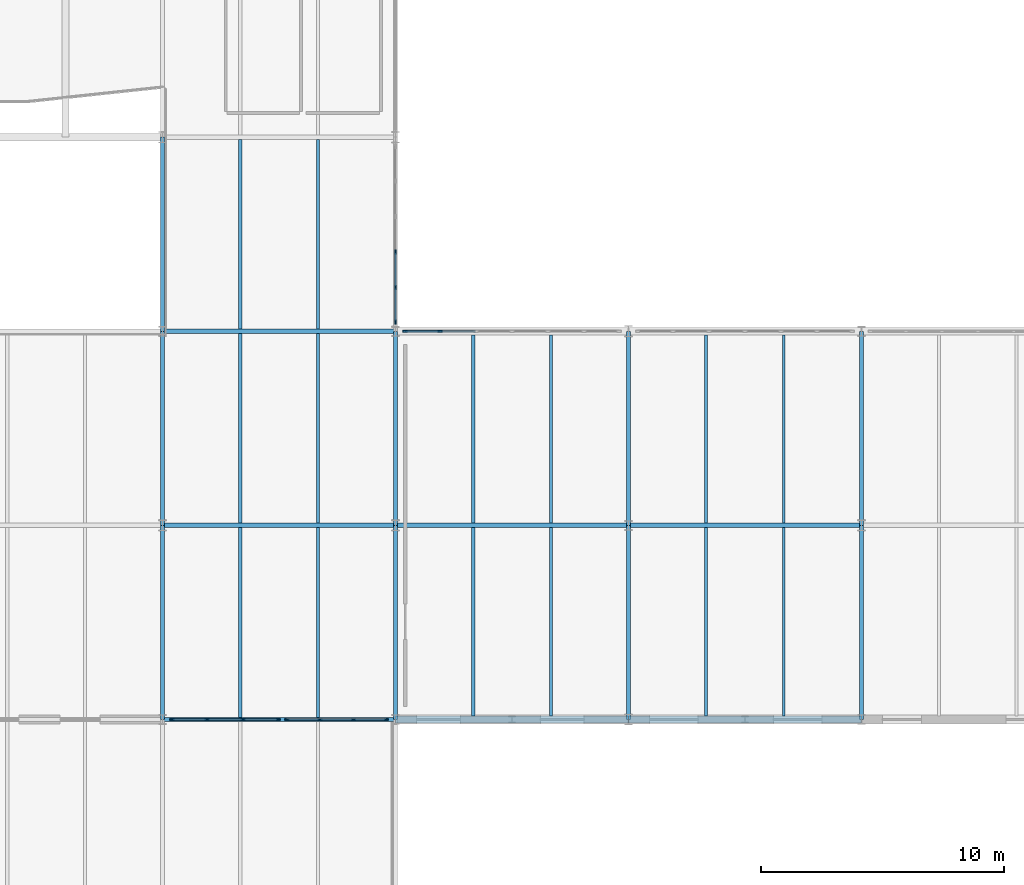
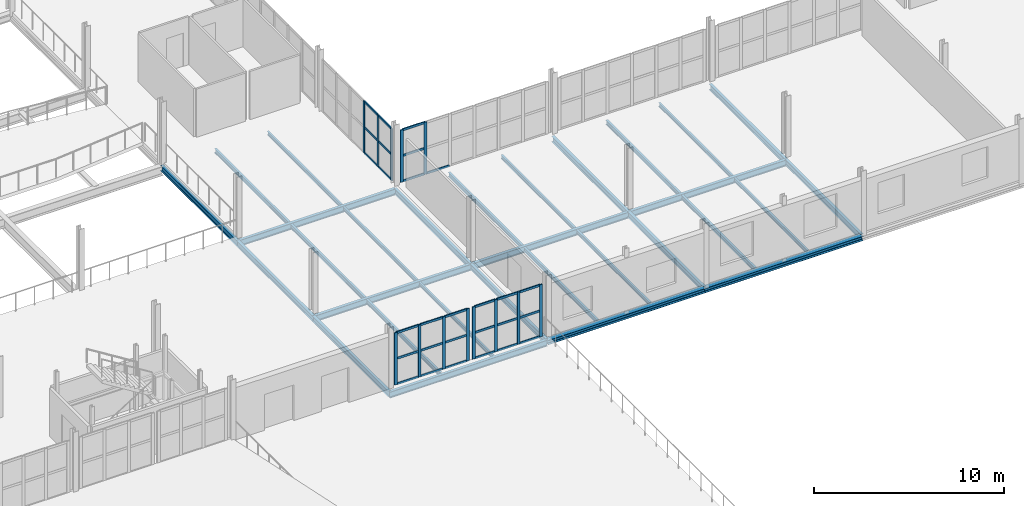
# One storey, part 43 of 85: 41 members, 30 beams, 4 elements without a shape of their own.
"""IFC4 building model written with IfcOpenShell, lengths in metres."""

from ifc_helpers import new_model, si_unit, direction, frame, origin, origin_2d, place, context, subcontext, project, spatial, rectangle, i_section, extrude, material, layer, layer_set, material_profile, profile_set, type_object, element, aggregate, save


model = new_model("IFC4")

# Units and contexts
model_context = context("Model", 3, precision=1e-05, world=origin(), true_north=direction((0.0, 1.0)))
body_context = subcontext(model_context, "Body", "Model", "MODEL_VIEW")
ifc_project = project(units=[si_unit("LENGTHUNIT", "METRE"), si_unit("AREAUNIT", "SQUARE_METRE"), si_unit("VOLUMEUNIT", "CUBIC_METRE"), si_unit("PLANEANGLEUNIT", "RADIAN"), si_unit("MASSUNIT", "GRAM", prefix="KILO")], contexts=[model_context])

# Site, building, storey
site_placement = place(None, origin())
site = spatial("IfcSite", under=ifc_project, at=site_placement, CompositionType="ELEMENT")
building_placement = place(site_placement, origin())
building = spatial("IfcBuilding", under=site, at=building_placement, Name="Alderhovde Museum", CompositionType="ELEMENT")
storey_placement = place(building_placement, frame((0.0, 0.0, 8.699951171875)))
storey = spatial("IfcBuildingStorey", under=building, at=storey_placement, Name="L02", CompositionType="ELEMENT", Elevation=8.699951171875)

# Beams
ifc_material_1 = material(Name="Steel S355J2", Category="steel")
ifc_material_profile_1 = material_profile(ifc_material_1, i_section(OverallWidth=0.169921875, OverallDepth=0.360107421875, WebThickness=0.008056640625, FlangeThickness=0.0126953125, FilletRadius=0.01806640625, at=origin_2d()), Name="IPE 360")
ifc_profile_set_1 = profile_set([ifc_material_profile_1], Name="Steel S355J2")
beam_type_1 = type_object("IfcBeamType", Name="BM-IPE360", PredefinedType="BEAM", material=ifc_profile_set_1)
for number, where, z_axis, x_axis, name in (
    (1, (105.60009765625, 32.0, -0.43994140625), (0.0, 1.0, 0.0), (-1.0, 0.0, 0.0), "L02 Grid Beam X=105.6 (32.0 TO 40.0)"),
    (2, (105.60009765625, 40.0, -0.43994140625), (0.0, 1.0, 0.0), (-1.0, 0.0, 0.0), "L02 Grid Beam X=105.6 (40.0 TO 48.0)"),
    (3, (105.60009765625, 48.0, -0.43994140625), (0.0, 1.0, 0.0), (-1.0, 0.0, 0.0), "L02 Grid Beam X=105.6 (48.0 TO 56.0)"),
    (4, (115.199951171875, 32.0, -0.43994140625), (0.0, 1.0, 0.0), (-1.0, 0.0, 0.0), "L02 Grid Beam X=115.2 (32.0 TO 40.0)"),
    (5, (115.199951171875, 40.0, -0.43994140625), (0.0, 1.0, 0.0), (-1.0, 0.0, 0.0), "L02 Grid Beam X=115.2 (40.0 TO 48.0)"),
    (6, (124.800048828125, 32.0, -0.43994140625), (0.0, 1.0, 0.0), (-1.0, 0.0, 0.0), "L02 Grid Beam X=124.8 (32.0 TO 40.0)"),
    (7, (124.800048828125, 40.0, -0.43994140625), (0.0, 1.0, 0.0), (-1.0, 0.0, 0.0), "L02 Grid Beam X=124.8 (40.0 TO 48.0)"),
    (8, (134.39990234375, 32.0, -0.43994140625), (0.0, 1.0, 0.0), (-1.0, 0.0, 0.0), "L02 Grid Beam X=134.4 (32.0 TO 40.0)"),
    (9, (134.39990234375, 40.0, -0.43994140625), (0.0, 1.0, 0.0), (-1.0, 0.0, 0.0), "L02 Grid Beam X=134.4 (40.0 TO 48.0)"),
):
    element("IfcBeam", number, at=place(storey_placement, frame(where, z_axis=z_axis, x_axis=x_axis)), inside=storey, type_object=beam_type_1, Name=name, PredefinedType="BEAM", context=body_context, shape_type="SweptSolid", body=[
        extrude(i_section(OverallWidth=0.169921875, OverallDepth=0.360107421875, WebThickness=0.008056640625, FlangeThickness=0.0126953125, FilletRadius=0.01806640625, at=origin_2d()), origin(), (0.0, 0.0, 1.0), 8.0),
    ])
ifc_material_2 = material(Name="Steel S355J2", Category="steel")
ifc_material_profile_2 = material_profile(ifc_material_2, i_section(OverallWidth=0.179931640625, OverallDepth=0.39990234375, WebThickness=0.008544921875, FlangeThickness=0.013427734375, FilletRadius=0.02099609375, at=origin_2d()), Name="IPE 400")
ifc_profile_set_2 = profile_set([ifc_material_profile_2], Name="Steel S355J2")
beam_type_2 = type_object("IfcBeamType", Name="BM-IPE400", PredefinedType="BEAM", material=ifc_profile_set_2)
for number, where, z_axis, x_axis, name in (
    (10, (105.60009765625, 32.0, -0.5), (1.0, 0.0, 0.0), (0.0, 1.0, 0.0), "L02 Grid Beam Y=32.0 (105.6 TO 115.2)"),
    (11, (105.60009765625, 40.0, -0.4599609375), (1.0, 0.0, 0.0), (0.0, 1.0, 0.0), "L02 Grid Beam Y=40.0 (105.6 TO 115.2)"),
):
    element("IfcBeam", number, at=place(storey_placement, frame(where, z_axis=z_axis, x_axis=x_axis)), inside=storey, type_object=beam_type_2, Name=name, PredefinedType="BEAM", context=body_context, shape_type="SweptSolid", body=[
        extrude(i_section(OverallWidth=0.179931640625, OverallDepth=0.39990234375, WebThickness=0.008544921875, FlangeThickness=0.013427734375, FilletRadius=0.02099609375, at=origin_2d()), origin(), (0.0, 0.0, 1.0), 9.599853515625),
    ])
beam_1_placement = place(storey_placement, frame((115.199951171875, 40.0, -0.4599609375), z_axis=(1.0, 0.0, 0.0), x_axis=(0.0, 1.0, 0.0)))
element("IfcBeam", 12, at=beam_1_placement, inside=storey, type_object=beam_type_2, Name="L02 Grid Beam Y=40.0 (115.2 TO 124.8)", PredefinedType="BEAM", context=body_context, shape_type="SweptSolid", body=[
    extrude(i_section(OverallWidth=0.179931640625, OverallDepth=0.39990234375, WebThickness=0.008544921875, FlangeThickness=0.013427734375, FilletRadius=0.02099609375, at=origin_2d()), origin(), (0.0, 0.0, 1.0), 9.60009765625),
])
for number, where, z_axis, x_axis, name in (
    (13, (124.800048828125, 40.0, -0.4599609375), (1.0, 0.0, 0.0), (0.0, 1.0, 0.0), "L02 Grid Beam Y=40.0 (124.8 TO 134.4)"),
    (14, (105.60009765625, 48.0, -0.4599609375), (1.0, 0.0, 0.0), (0.0, 1.0, 0.0), "L02 Grid Beam Y=48.0 (105.6 TO 115.2)"),
):
    element("IfcBeam", number, at=place(storey_placement, frame(where, z_axis=z_axis, x_axis=x_axis)), inside=storey, type_object=beam_type_2, Name=name, PredefinedType="BEAM", context=body_context, shape_type="SweptSolid", body=[
        extrude(i_section(OverallWidth=0.179931640625, OverallDepth=0.39990234375, WebThickness=0.008544921875, FlangeThickness=0.013427734375, FilletRadius=0.02099609375, at=origin_2d()), origin(), (0.0, 0.0, 1.0), 9.599853515625),
    ])

# Curtain wall, members
ifc_material_3 = material(Name="Triple-Glazed Bronze-Anodised Curtain Wall", Category="glass")
ifc_layer_1 = layer(ifc_material_3, 0.179931640625)
ifc_layer_set_1 = layer_set([ifc_layer_1], Name="Triple-Glazed Bronze-Anodised Curtain Wall")
curtain_wall_type_1 = type_object("IfcCurtainWallType", Name="CW-UNIT-445x336", PredefinedType="USERDEFINED", material=ifc_layer_set_1)
curtain_wall_1_placement = place(storey_placement, origin())
curtain_wall_1 = element("IfcCurtainWall", 15, at=curtain_wall_1_placement, inside=storey, type_object=curtain_wall_type_1, Name="L02 Unitised Curtain Wall 39", ObjectType="UNITISED CURTAIN WALL", PredefinedType="USERDEFINED")
ifc_material_4 = material(Name="Bronze-Anodised Aluminium EN AW-6063-T6", Category="aluminium")
ifc_material_profile_3 = material_profile(ifc_material_4, rectangle(XDim=0.06494140625, YDim=0.179931640625, at=origin_2d()), Name="MULLION 65x180")
ifc_profile_set_3 = profile_set([ifc_material_profile_3], Name="Bronze-Anodised Aluminium EN AW-6063-T6")
member_type_1 = type_object("IfcMemberType", Name="CWM-65x180", PredefinedType="MULLION", material=ifc_profile_set_3)
member_1_placement = place(storey_placement, frame((105.982421875, 32.0, 0.0), z_axis=(0.0, 0.0, 1.0), x_axis=(0.0, 1.0, 0.0)))
member_1 = element("IfcMember", 16, at=member_1_placement, type_object=member_type_1, Name="CW10 mullion 1", PredefinedType="MULLION", context=body_context, shape_type="SweptSolid", body=[
    extrude(rectangle(XDim=0.06494140625, YDim=0.179931640625, at=origin_2d()), origin(), (0.0, 0.0, 1.0), 3.360107421875),
])
member_2_placement = place(storey_placement, frame((107.433349609375, 32.0, 0.0), z_axis=(0.0, 0.0, 1.0), x_axis=(0.0, 1.0, 0.0)))
member_2 = element("IfcMember", 17, at=member_2_placement, type_object=member_type_1, Name="CW10 mullion 2", PredefinedType="MULLION", context=body_context, shape_type="SweptSolid", body=[
    extrude(rectangle(XDim=0.06494140625, YDim=0.179931640625, at=origin_2d()), origin(), (0.0, 0.0, 1.0), 3.360107421875),
])
member_3_placement = place(storey_placement, frame((108.916748046875, 32.0, 0.0), z_axis=(0.0, 0.0, 1.0), x_axis=(0.0, 1.0, 0.0)))
member_3 = element("IfcMember", 18, at=member_3_placement, type_object=member_type_1, Name="CW10 mullion 3", PredefinedType="MULLION", context=body_context, shape_type="SweptSolid", body=[
    extrude(rectangle(XDim=0.06494140625, YDim=0.179931640625, at=origin_2d()), origin(), (0.0, 0.0, 1.0), 3.360107421875),
])
member_4_placement = place(storey_placement, frame((110.367431640625, 32.0, 0.0), z_axis=(0.0, 0.0, 1.0), x_axis=(0.0, 1.0, 0.0)))
member_4 = element("IfcMember", 19, at=member_4_placement, type_object=member_type_1, Name="CW10 mullion 4", PredefinedType="MULLION", context=body_context, shape_type="SweptSolid", body=[
    extrude(rectangle(XDim=0.06494140625, YDim=0.179931640625, at=origin_2d()), origin(), (0.0, 0.0, 1.0), 3.360107421875),
])

ifc_material_5 = material(Name="Triple-Glazed Bronze-Anodised Curtain Wall", Category="glass")
ifc_layer_2 = layer(ifc_material_5, 0.179931640625)
ifc_layer_set_2 = layer_set([ifc_layer_2], Name="Triple-Glazed Bronze-Anodised Curtain Wall")
curtain_wall_type_2 = type_object("IfcCurtainWallType", Name="CW-UNIT-415x336", PredefinedType="USERDEFINED", material=ifc_layer_set_2)
curtain_wall_2_placement = place(storey_placement, origin())
curtain_wall_2 = element("IfcCurtainWall", 20, at=curtain_wall_2_placement, inside=storey, type_object=curtain_wall_type_2, Name="L02 Unitised Curtain Wall 40", ObjectType="UNITISED CURTAIN WALL", PredefinedType="USERDEFINED")
member_5_placement = place(storey_placement, frame((110.732421875, 32.0, 0.0), z_axis=(0.0, 0.0, 1.0), x_axis=(0.0, 1.0, 0.0)))
member_5 = element("IfcMember", 21, at=member_5_placement, type_object=member_type_1, Name="CW11 mullion 1", PredefinedType="MULLION", context=body_context, shape_type="SweptSolid", body=[
    extrude(rectangle(XDim=0.06494140625, YDim=0.179931640625, at=origin_2d()), origin(), (0.0, 0.0, 1.0), 3.360107421875),
])
member_6_placement = place(storey_placement, frame((112.083251953125, 32.0, 0.0), z_axis=(0.0, 0.0, 1.0), x_axis=(0.0, 1.0, 0.0)))
member_6 = element("IfcMember", 22, at=member_6_placement, type_object=member_type_1, Name="CW11 mullion 2", PredefinedType="MULLION", context=body_context, shape_type="SweptSolid", body=[
    extrude(rectangle(XDim=0.06494140625, YDim=0.179931640625, at=origin_2d()), origin(), (0.0, 0.0, 1.0), 3.360107421875),
])
member_7_placement = place(storey_placement, frame((113.466552734375, 32.0, 0.0), z_axis=(0.0, 0.0, 1.0), x_axis=(0.0, 1.0, 0.0)))
member_7 = element("IfcMember", 23, at=member_7_placement, type_object=member_type_1, Name="CW11 mullion 3", PredefinedType="MULLION", context=body_context, shape_type="SweptSolid", body=[
    extrude(rectangle(XDim=0.06494140625, YDim=0.179931640625, at=origin_2d()), origin(), (0.0, 0.0, 1.0), 3.360107421875),
])
member_8_placement = place(storey_placement, frame((114.8173828125, 32.0, 0.0), z_axis=(0.0, 0.0, 1.0), x_axis=(0.0, 1.0, 0.0)))
member_8 = element("IfcMember", 24, at=member_8_placement, type_object=member_type_1, Name="CW11 mullion 4", PredefinedType="MULLION", context=body_context, shape_type="SweptSolid", body=[
    extrude(rectangle(XDim=0.06494140625, YDim=0.179931640625, at=origin_2d()), origin(), (0.0, 0.0, 1.0), 3.360107421875),
])

ifc_material_6 = material(Name="Triple-Glazed Bronze-Anodised Curtain Wall", Category="glass")
ifc_layer_3 = layer(ifc_material_6, 0.179931640625)
ifc_layer_set_3 = layer_set([ifc_layer_3], Name="Triple-Glazed Bronze-Anodised Curtain Wall")
curtain_wall_type_3 = type_object("IfcCurtainWallType", Name="CW-UNIT-730x336", PredefinedType="USERDEFINED", material=ifc_layer_set_3)
curtain_wall_3_placement = place(storey_placement, origin())
curtain_wall_3 = element("IfcCurtainWall", 25, at=curtain_wall_3_placement, inside=storey, type_object=curtain_wall_type_3, Name="L02 Unitised Curtain Wall 45", ObjectType="UNITISED CURTAIN WALL", PredefinedType="USERDEFINED")
member_9_placement = place(storey_placement, frame((115.199951171875, 48.382568359375, 0.0), z_axis=(0.0, 0.0, 1.0), x_axis=(-1.0, 0.0, 0.0)))
member_9 = element("IfcMember", 26, at=member_9_placement, type_object=member_type_1, Name="CW14 mullion 1", PredefinedType="MULLION", context=body_context, shape_type="SweptSolid", body=[
    extrude(rectangle(XDim=0.06494140625, YDim=0.179931640625, at=origin_2d()), origin(), (0.0, 0.0, 1.0), 3.360107421875),
])
member_10_placement = place(storey_placement, frame((115.199951171875, 49.81005859375, 0.0), z_axis=(0.0, 0.0, 1.0), x_axis=(-1.0, 0.0, 0.0)))
member_10 = element("IfcMember", 27, at=member_10_placement, type_object=member_type_1, Name="CW14 mullion 2", PredefinedType="MULLION", context=body_context, shape_type="SweptSolid", body=[
    extrude(rectangle(XDim=0.06494140625, YDim=0.179931640625, at=origin_2d()), origin(), (0.0, 0.0, 1.0), 3.360107421875),
])
member_11_placement = place(storey_placement, frame((115.199951171875, 51.27001953125, 0.0), z_axis=(0.0, 0.0, 1.0), x_axis=(-1.0, 0.0, 0.0)))
member_11 = element("IfcMember", 28, at=member_11_placement, type_object=member_type_1, Name="CW14 mullion 3", PredefinedType="MULLION", context=body_context, shape_type="SweptSolid", body=[
    extrude(rectangle(XDim=0.06494140625, YDim=0.179931640625, at=origin_2d()), origin(), (0.0, 0.0, 1.0), 3.360107421875),
])

ifc_material_7 = material(Name="Triple-Glazed Bronze-Anodised Curtain Wall", Category="glass")
ifc_layer_4 = layer(ifc_material_7, 0.179931640625)
ifc_layer_set_4 = layer_set([ifc_layer_4], Name="Triple-Glazed Bronze-Anodised Curtain Wall")
curtain_wall_type_4 = type_object("IfcCurtainWallType", Name="CW-STIC-890x336", PredefinedType="USERDEFINED", material=ifc_layer_set_4)
curtain_wall_4_placement = place(storey_placement, origin())
curtain_wall_4 = element("IfcCurtainWall", 29, at=curtain_wall_4_placement, inside=storey, type_object=curtain_wall_type_4, Name="L02 Stick Curtain Wall 157", ObjectType="STICK CURTAIN WALL", PredefinedType="USERDEFINED")
member_12_placement = place(storey_placement, frame((115.58251953125, 48.0, 0.0), z_axis=(0.0, 0.0, 1.0), x_axis=(0.0, 1.0, 0.0)))
member_12 = element("IfcMember", 30, at=member_12_placement, type_object=member_type_1, Name="CW38 mullion 1", PredefinedType="MULLION", context=body_context, shape_type="SweptSolid", body=[
    extrude(rectangle(XDim=0.06494140625, YDim=0.179931640625, at=origin_2d()), origin(), (0.0, 0.0, 1.0), 3.360107421875),
])
member_13_placement = place(storey_placement, frame((117.033447265625, 48.0, 0.0), z_axis=(0.0, 0.0, 1.0), x_axis=(0.0, 1.0, 0.0)))
member_13 = element("IfcMember", 31, at=member_13_placement, type_object=member_type_1, Name="CW38 mullion 2", PredefinedType="MULLION", context=body_context, shape_type="SweptSolid", body=[
    extrude(rectangle(XDim=0.06494140625, YDim=0.179931640625, at=origin_2d()), origin(), (0.0, 0.0, 1.0), 3.360107421875),
])

# Member
ifc_material_8 = material(Name="Bronze-Anodised Aluminium EN AW-6063-T6", Category="aluminium")
ifc_material_profile_4 = material_profile(ifc_material_8, rectangle(XDim=0.06494140625, YDim=0.139892578125, at=origin_2d()), Name="TRANSOM 65x140")
ifc_profile_set_4 = profile_set([ifc_material_profile_4], Name="Bronze-Anodised Aluminium EN AW-6063-T6")
member_type_2 = type_object("IfcMemberType", Name="CWT-65x140", PredefinedType="USERDEFINED", material=ifc_profile_set_4)
member_14_placement = place(storey_placement, frame((106.014892578125, 32.0, 0.032470703125), z_axis=(1.0, 0.0, 0.0), x_axis=(0.0, 1.0, 0.0)))
member_14 = element("IfcMember", 32, at=member_14_placement, type_object=member_type_2, Name="CW10 transom 1.1", ObjectType="TRANSOM", PredefinedType="USERDEFINED", context=body_context, shape_type="SweptSolid", body=[
    extrude(rectangle(XDim=0.06494140625, YDim=0.139892578125, at=origin_2d()), origin(), (0.0, 0.0, 1.0), 1.385986328125),
])

member_15_placement = place(storey_placement, frame((106.014892578125, 32.0, 1.679931640625), z_axis=(1.0, 0.0, 0.0), x_axis=(0.0, 1.0, 0.0)))
member_15 = element("IfcMember", 33, at=member_15_placement, type_object=member_type_2, Name="CW10 transom 1.2", ObjectType="TRANSOM", PredefinedType="USERDEFINED", context=body_context, shape_type="SweptSolid", body=[
    extrude(rectangle(XDim=0.06494140625, YDim=0.139892578125, at=origin_2d()), origin(), (0.0, 0.0, 1.0), 1.385986328125),
])

member_16_placement = place(storey_placement, frame((106.014892578125, 32.0, 3.32763671875), z_axis=(1.0, 0.0, 0.0), x_axis=(0.0, 1.0, 0.0)))
member_16 = element("IfcMember", 34, at=member_16_placement, type_object=member_type_2, Name="CW10 transom 1.3", ObjectType="TRANSOM", PredefinedType="USERDEFINED", context=body_context, shape_type="SweptSolid", body=[
    extrude(rectangle(XDim=0.06494140625, YDim=0.139892578125, at=origin_2d()), origin(), (0.0, 0.0, 1.0), 1.385986328125),
])

member_17_placement = place(storey_placement, frame((107.4658203125, 32.0, 0.032470703125), z_axis=(1.0, 0.0, 0.0), x_axis=(0.0, 1.0, 0.0)))
member_17 = element("IfcMember", 35, at=member_17_placement, type_object=member_type_2, Name="CW10 transom 2.1", ObjectType="TRANSOM", PredefinedType="USERDEFINED", context=body_context, shape_type="SweptSolid", body=[
    extrude(rectangle(XDim=0.06494140625, YDim=0.139892578125, at=origin_2d()), origin(), (0.0, 0.0, 1.0), 1.41845703125),
])

member_18_placement = place(storey_placement, frame((107.4658203125, 32.0, 1.679931640625), z_axis=(1.0, 0.0, 0.0), x_axis=(0.0, 1.0, 0.0)))
member_18 = element("IfcMember", 36, at=member_18_placement, type_object=member_type_2, Name="CW10 transom 2.2", ObjectType="TRANSOM", PredefinedType="USERDEFINED", context=body_context, shape_type="SweptSolid", body=[
    extrude(rectangle(XDim=0.06494140625, YDim=0.139892578125, at=origin_2d()), origin(), (0.0, 0.0, 1.0), 1.41845703125),
])

member_19_placement = place(storey_placement, frame((107.4658203125, 32.0, 3.32763671875), z_axis=(1.0, 0.0, 0.0), x_axis=(0.0, 1.0, 0.0)))
member_19 = element("IfcMember", 37, at=member_19_placement, type_object=member_type_2, Name="CW10 transom 2.3", ObjectType="TRANSOM", PredefinedType="USERDEFINED", context=body_context, shape_type="SweptSolid", body=[
    extrude(rectangle(XDim=0.06494140625, YDim=0.139892578125, at=origin_2d()), origin(), (0.0, 0.0, 1.0), 1.41845703125),
])

member_20_placement = place(storey_placement, frame((108.94921875, 32.0, 0.032470703125), z_axis=(1.0, 0.0, 0.0), x_axis=(0.0, 1.0, 0.0)))
member_20 = element("IfcMember", 38, at=member_20_placement, type_object=member_type_2, Name="CW10 transom 3.1", ObjectType="TRANSOM", PredefinedType="USERDEFINED", context=body_context, shape_type="SweptSolid", body=[
    extrude(rectangle(XDim=0.06494140625, YDim=0.139892578125, at=origin_2d()), origin(), (0.0, 0.0, 1.0), 1.3857421875),
])

member_21_placement = place(storey_placement, frame((108.94921875, 32.0, 1.679931640625), z_axis=(1.0, 0.0, 0.0), x_axis=(0.0, 1.0, 0.0)))
member_21 = element("IfcMember", 39, at=member_21_placement, type_object=member_type_2, Name="CW10 transom 3.2", ObjectType="TRANSOM", PredefinedType="USERDEFINED", context=body_context, shape_type="SweptSolid", body=[
    extrude(rectangle(XDim=0.06494140625, YDim=0.139892578125, at=origin_2d()), origin(), (0.0, 0.0, 1.0), 1.3857421875),
])

member_22_placement = place(storey_placement, frame((108.94921875, 32.0, 3.32763671875), z_axis=(1.0, 0.0, 0.0), x_axis=(0.0, 1.0, 0.0)))
member_22 = element("IfcMember", 40, at=member_22_placement, type_object=member_type_2, Name="CW10 transom 3.3", ObjectType="TRANSOM", PredefinedType="USERDEFINED", context=body_context, shape_type="SweptSolid", body=[
    extrude(rectangle(XDim=0.06494140625, YDim=0.139892578125, at=origin_2d()), origin(), (0.0, 0.0, 1.0), 1.3857421875),
])

aggregate(curtain_wall_1, [member_1, member_2, member_3, member_4, member_14, member_15, member_16, member_17, member_18, member_19, member_20, member_21, member_22])

member_23_placement = place(storey_placement, frame((110.764892578125, 32.0, 0.032470703125), z_axis=(1.0, 0.0, 0.0), x_axis=(0.0, 1.0, 0.0)))
member_23 = element("IfcMember", 41, at=member_23_placement, type_object=member_type_2, Name="CW11 transom 1.1", ObjectType="TRANSOM", PredefinedType="USERDEFINED", context=body_context, shape_type="SweptSolid", body=[
    extrude(rectangle(XDim=0.06494140625, YDim=0.139892578125, at=origin_2d()), origin(), (0.0, 0.0, 1.0), 1.285888671875),
])

member_24_placement = place(storey_placement, frame((110.764892578125, 32.0, 1.679931640625), z_axis=(1.0, 0.0, 0.0), x_axis=(0.0, 1.0, 0.0)))
member_24 = element("IfcMember", 42, at=member_24_placement, type_object=member_type_2, Name="CW11 transom 1.2", ObjectType="TRANSOM", PredefinedType="USERDEFINED", context=body_context, shape_type="SweptSolid", body=[
    extrude(rectangle(XDim=0.06494140625, YDim=0.139892578125, at=origin_2d()), origin(), (0.0, 0.0, 1.0), 1.285888671875),
])

member_25_placement = place(storey_placement, frame((110.764892578125, 32.0, 3.32763671875), z_axis=(1.0, 0.0, 0.0), x_axis=(0.0, 1.0, 0.0)))
member_25 = element("IfcMember", 43, at=member_25_placement, type_object=member_type_2, Name="CW11 transom 1.3", ObjectType="TRANSOM", PredefinedType="USERDEFINED", context=body_context, shape_type="SweptSolid", body=[
    extrude(rectangle(XDim=0.06494140625, YDim=0.139892578125, at=origin_2d()), origin(), (0.0, 0.0, 1.0), 1.285888671875),
])

member_26_placement = place(storey_placement, frame((112.11572265625, 32.0, 0.032470703125), z_axis=(1.0, 0.0, 0.0), x_axis=(0.0, 1.0, 0.0)))
member_26 = element("IfcMember", 44, at=member_26_placement, type_object=member_type_2, Name="CW11 transom 2.1", ObjectType="TRANSOM", PredefinedType="USERDEFINED", context=body_context, shape_type="SweptSolid", body=[
    extrude(rectangle(XDim=0.06494140625, YDim=0.139892578125, at=origin_2d()), origin(), (0.0, 0.0, 1.0), 1.318359375),
])

member_27_placement = place(storey_placement, frame((112.11572265625, 32.0, 1.679931640625), z_axis=(1.0, 0.0, 0.0), x_axis=(0.0, 1.0, 0.0)))
member_27 = element("IfcMember", 45, at=member_27_placement, type_object=member_type_2, Name="CW11 transom 2.2", ObjectType="TRANSOM", PredefinedType="USERDEFINED", context=body_context, shape_type="SweptSolid", body=[
    extrude(rectangle(XDim=0.06494140625, YDim=0.139892578125, at=origin_2d()), origin(), (0.0, 0.0, 1.0), 1.318359375),
])

member_28_placement = place(storey_placement, frame((112.11572265625, 32.0, 3.32763671875), z_axis=(1.0, 0.0, 0.0), x_axis=(0.0, 1.0, 0.0)))
member_28 = element("IfcMember", 46, at=member_28_placement, type_object=member_type_2, Name="CW11 transom 2.3", ObjectType="TRANSOM", PredefinedType="USERDEFINED", context=body_context, shape_type="SweptSolid", body=[
    extrude(rectangle(XDim=0.06494140625, YDim=0.139892578125, at=origin_2d()), origin(), (0.0, 0.0, 1.0), 1.318359375),
])

member_29_placement = place(storey_placement, frame((113.499267578125, 32.0, 0.032470703125), z_axis=(1.0, 0.0, 0.0), x_axis=(0.0, 1.0, 0.0)))
member_29 = element("IfcMember", 47, at=member_29_placement, type_object=member_type_2, Name="CW11 transom 3.1", ObjectType="TRANSOM", PredefinedType="USERDEFINED", context=body_context, shape_type="SweptSolid", body=[
    extrude(rectangle(XDim=0.06494140625, YDim=0.139892578125, at=origin_2d()), origin(), (0.0, 0.0, 1.0), 1.28564453125),
])

member_30_placement = place(storey_placement, frame((113.499267578125, 32.0, 1.679931640625), z_axis=(1.0, 0.0, 0.0), x_axis=(0.0, 1.0, 0.0)))
member_30 = element("IfcMember", 48, at=member_30_placement, type_object=member_type_2, Name="CW11 transom 3.2", ObjectType="TRANSOM", PredefinedType="USERDEFINED", context=body_context, shape_type="SweptSolid", body=[
    extrude(rectangle(XDim=0.06494140625, YDim=0.139892578125, at=origin_2d()), origin(), (0.0, 0.0, 1.0), 1.28564453125),
])

member_31_placement = place(storey_placement, frame((113.499267578125, 32.0, 3.32763671875), z_axis=(1.0, 0.0, 0.0), x_axis=(0.0, 1.0, 0.0)))
member_31 = element("IfcMember", 49, at=member_31_placement, type_object=member_type_2, Name="CW11 transom 3.3", ObjectType="TRANSOM", PredefinedType="USERDEFINED", context=body_context, shape_type="SweptSolid", body=[
    extrude(rectangle(XDim=0.06494140625, YDim=0.139892578125, at=origin_2d()), origin(), (0.0, 0.0, 1.0), 1.28564453125),
])

aggregate(curtain_wall_2, [member_5, member_6, member_7, member_8, member_23, member_24, member_25, member_26, member_27, member_28, member_29, member_30, member_31])

member_32_placement = place(storey_placement, frame((115.199951171875, 48.4150390625, 0.032470703125), z_axis=(0.0, 1.0, 0.0), x_axis=(-1.0, 0.0, 0.0)))
member_32 = element("IfcMember", 50, at=member_32_placement, type_object=member_type_2, Name="CW14 transom 1.1", ObjectType="TRANSOM", PredefinedType="USERDEFINED", context=body_context, shape_type="SweptSolid", body=[
    extrude(rectangle(XDim=0.06494140625, YDim=0.139892578125, at=origin_2d()), origin(), (0.0, 0.0, 1.0), 1.362548828125),
])

member_33_placement = place(storey_placement, frame((115.199951171875, 48.4150390625, 1.679931640625), z_axis=(0.0, 1.0, 0.0), x_axis=(-1.0, 0.0, 0.0)))
member_33 = element("IfcMember", 51, at=member_33_placement, type_object=member_type_2, Name="CW14 transom 1.2", ObjectType="TRANSOM", PredefinedType="USERDEFINED", context=body_context, shape_type="SweptSolid", body=[
    extrude(rectangle(XDim=0.06494140625, YDim=0.139892578125, at=origin_2d()), origin(), (0.0, 0.0, 1.0), 1.362548828125),
])

member_34_placement = place(storey_placement, frame((115.199951171875, 48.4150390625, 3.32763671875), z_axis=(0.0, 1.0, 0.0), x_axis=(-1.0, 0.0, 0.0)))
member_34 = element("IfcMember", 52, at=member_34_placement, type_object=member_type_2, Name="CW14 transom 1.3", ObjectType="TRANSOM", PredefinedType="USERDEFINED", context=body_context, shape_type="SweptSolid", body=[
    extrude(rectangle(XDim=0.06494140625, YDim=0.139892578125, at=origin_2d()), origin(), (0.0, 0.0, 1.0), 1.362548828125),
])

member_35_placement = place(storey_placement, frame((115.199951171875, 49.842529296875, 0.032470703125), z_axis=(0.0, 1.0, 0.0), x_axis=(-1.0, 0.0, 0.0)))
member_35 = element("IfcMember", 53, at=member_35_placement, type_object=member_type_2, Name="CW14 transom 2.1", ObjectType="TRANSOM", PredefinedType="USERDEFINED", context=body_context, shape_type="SweptSolid", body=[
    extrude(rectangle(XDim=0.06494140625, YDim=0.139892578125, at=origin_2d()), origin(), (0.0, 0.0, 1.0), 1.39501953125),
])

member_36_placement = place(storey_placement, frame((115.199951171875, 49.842529296875, 1.679931640625), z_axis=(0.0, 1.0, 0.0), x_axis=(-1.0, 0.0, 0.0)))
member_36 = element("IfcMember", 54, at=member_36_placement, type_object=member_type_2, Name="CW14 transom 2.2", ObjectType="TRANSOM", PredefinedType="USERDEFINED", context=body_context, shape_type="SweptSolid", body=[
    extrude(rectangle(XDim=0.06494140625, YDim=0.139892578125, at=origin_2d()), origin(), (0.0, 0.0, 1.0), 1.39501953125),
])

member_37_placement = place(storey_placement, frame((115.199951171875, 49.842529296875, 3.32763671875), z_axis=(0.0, 1.0, 0.0), x_axis=(-1.0, 0.0, 0.0)))
member_37 = element("IfcMember", 55, at=member_37_placement, type_object=member_type_2, Name="CW14 transom 2.3", ObjectType="TRANSOM", PredefinedType="USERDEFINED", context=body_context, shape_type="SweptSolid", body=[
    extrude(rectangle(XDim=0.06494140625, YDim=0.139892578125, at=origin_2d()), origin(), (0.0, 0.0, 1.0), 1.39501953125),
])

aggregate(curtain_wall_3, [member_9, member_10, member_11, member_32, member_33, member_34, member_35, member_36, member_37])

member_38_placement = place(storey_placement, frame((115.614990234375, 48.0, 0.032470703125), z_axis=(1.0, 0.0, 0.0), x_axis=(0.0, 1.0, 0.0)))
member_38 = element("IfcMember", 56, at=member_38_placement, type_object=member_type_2, Name="CW38 transom 1.1", ObjectType="TRANSOM", PredefinedType="USERDEFINED", context=body_context, shape_type="SweptSolid", body=[
    extrude(rectangle(XDim=0.06494140625, YDim=0.139892578125, at=origin_2d()), origin(), (0.0, 0.0, 1.0), 1.3857421875),
])

member_39_placement = place(storey_placement, frame((115.614990234375, 48.0, 1.679931640625), z_axis=(1.0, 0.0, 0.0), x_axis=(0.0, 1.0, 0.0)))
member_39 = element("IfcMember", 57, at=member_39_placement, type_object=member_type_2, Name="CW38 transom 1.2", ObjectType="TRANSOM", PredefinedType="USERDEFINED", context=body_context, shape_type="SweptSolid", body=[
    extrude(rectangle(XDim=0.06494140625, YDim=0.139892578125, at=origin_2d()), origin(), (0.0, 0.0, 1.0), 1.3857421875),
])

member_40_placement = place(storey_placement, frame((115.614990234375, 48.0, 3.32763671875), z_axis=(1.0, 0.0, 0.0), x_axis=(0.0, 1.0, 0.0)))
member_40 = element("IfcMember", 58, at=member_40_placement, type_object=member_type_2, Name="CW38 transom 1.3", ObjectType="TRANSOM", PredefinedType="USERDEFINED", context=body_context, shape_type="SweptSolid", body=[
    extrude(rectangle(XDim=0.06494140625, YDim=0.139892578125, at=origin_2d()), origin(), (0.0, 0.0, 1.0), 1.3857421875),
])

member_41_placement = place(storey_placement, frame((117.06591796875, 48.0, 0.032470703125), z_axis=(1.0, 0.0, 0.0), x_axis=(0.0, 1.0, 0.0)))
member_41 = element("IfcMember", 59, at=member_41_placement, type_object=member_type_2, Name="CW38 transom 2.1", ObjectType="TRANSOM", PredefinedType="USERDEFINED", context=body_context, shape_type="SweptSolid", body=[
    extrude(rectangle(XDim=0.06494140625, YDim=0.139892578125, at=origin_2d()), origin(), (0.0, 0.0, 1.0), 1.418212890625),
])

aggregate(curtain_wall_4, [member_12, member_13, member_38, member_39, member_40, member_41])

# Beams
ifc_material_9 = material(Name="Steel S355J2", Category="steel")
ifc_material_profile_5 = material_profile(ifc_material_9, i_section(OverallWidth=0.1201171875, OverallDepth=0.239990234375, WebThickness=0.006103515625, FlangeThickness=0.009765625, FilletRadius=0.014892578125, at=origin_2d()), Name="IPE 240")
ifc_profile_set_5 = profile_set([ifc_material_profile_5], Name="Steel S355J2")
beam_type_3 = type_object("IfcBeamType", Name="JST-IPE240", PredefinedType="JOIST", material=ifc_profile_set_5)
for number, where, z_axis, x_axis, name in (
    (60, (112.0, 32.090087890625, -0.3798828125), (0.0, 1.0, 0.0), (-1.0, 0.0, 0.0), "L02 Composite Joist X=112.0 (32.0 TO 40.0)"),
    (61, (112.0, 40.090087890625, -0.3798828125), (0.0, 1.0, 0.0), (-1.0, 0.0, 0.0), "L02 Composite Joist X=112.0 (40.0 TO 48.0)"),
    (62, (112.0, 48.090087890625, -0.3798828125), (0.0, 1.0, 0.0), (-1.0, 0.0, 0.0), "L02 Composite Joist X=112.0 (48.0 TO 56.0)"),
):
    element("IfcBeam", number, at=place(storey_placement, frame(where, z_axis=z_axis, x_axis=x_axis)), inside=storey, type_object=beam_type_3, Name=name, PredefinedType="JOIST", context=body_context, shape_type="SweptSolid", body=[
        extrude(i_section(OverallWidth=0.1201171875, OverallDepth=0.239990234375, WebThickness=0.006103515625, FlangeThickness=0.009765625, FilletRadius=0.014892578125, at=origin_2d()), origin(), (0.0, 0.0, 1.0), 7.81982421875),
    ])
for number, where, z_axis, x_axis, name in (
    (63, (121.60009765625, 32.14990234375, -0.3798828125), (0.0, 1.0, 0.0), (-1.0, 0.0, 0.0), "L02 Composite Joist X=121.6 (32.0 TO 40.0)"),
    (64, (121.60009765625, 40.090087890625, -0.3798828125), (0.0, 1.0, 0.0), (-1.0, 0.0, 0.0), "L02 Composite Joist X=121.6 (40.0 TO 48.0)"),
    (65, (131.199951171875, 32.14990234375, -0.3798828125), (0.0, 1.0, 0.0), (-1.0, 0.0, 0.0), "L02 Composite Joist X=131.2 (32.0 TO 40.0)"),
    (66, (131.199951171875, 40.090087890625, -0.3798828125), (0.0, 1.0, 0.0), (-1.0, 0.0, 0.0), "L02 Composite Joist X=131.2 (40.0 TO 48.0)"),
):
    element("IfcBeam", number, at=place(storey_placement, frame(where, z_axis=z_axis, x_axis=x_axis)), inside=storey, type_object=beam_type_3, Name=name, PredefinedType="JOIST", context=body_context, shape_type="SweptSolid", body=[
        extrude(i_section(OverallWidth=0.1201171875, OverallDepth=0.239990234375, WebThickness=0.006103515625, FlangeThickness=0.009765625, FilletRadius=0.014892578125, at=origin_2d()), origin(), (0.0, 0.0, 1.0), 7.760009765625),
    ])
ifc_material_10 = material(Name="Steel S355J2", Category="steel")
ifc_material_profile_6 = material_profile(ifc_material_10, i_section(OverallWidth=0.135009765625, OverallDepth=0.27001953125, WebThickness=0.006591796875, FlangeThickness=0.01025390625, FilletRadius=0.014892578125, at=origin_2d()), Name="IPE 270")
ifc_profile_set_6 = profile_set([ifc_material_profile_6], Name="Steel S355J2")
beam_type_4 = type_object("IfcBeamType", Name="JST-IPE270", PredefinedType="JOIST", material=ifc_profile_set_6)
for number, where, z_axis, x_axis, name in (
    (67, (108.800048828125, 32.090087890625, -0.39501953125), (0.0, 1.0, 0.0), (-1.0, 0.0, 0.0), "L02 Composite Joist X=108.8 (32.0 TO 40.0)"),
    (68, (108.800048828125, 40.090087890625, -0.39501953125), (0.0, 1.0, 0.0), (-1.0, 0.0, 0.0), "L02 Composite Joist X=108.8 (40.0 TO 48.0)"),
    (69, (108.800048828125, 48.090087890625, -0.39501953125), (0.0, 1.0, 0.0), (-1.0, 0.0, 0.0), "L02 Composite Joist X=108.8 (48.0 TO 56.0)"),
):
    element("IfcBeam", number, at=place(storey_placement, frame(where, z_axis=z_axis, x_axis=x_axis)), inside=storey, type_object=beam_type_4, Name=name, PredefinedType="JOIST", context=body_context, shape_type="SweptSolid", body=[
        extrude(i_section(OverallWidth=0.135009765625, OverallDepth=0.27001953125, WebThickness=0.006591796875, FlangeThickness=0.01025390625, FilletRadius=0.014892578125, at=origin_2d()), origin(), (0.0, 0.0, 1.0), 7.81982421875),
    ])
for number, where, z_axis, x_axis, name in (
    (70, (118.39990234375, 32.14990234375, -0.39501953125), (0.0, 1.0, 0.0), (-1.0, 0.0, 0.0), "L02 Composite Joist X=118.4 (32.0 TO 40.0)"),
    (71, (118.39990234375, 40.090087890625, -0.39501953125), (0.0, 1.0, 0.0), (-1.0, 0.0, 0.0), "L02 Composite Joist X=118.4 (40.0 TO 48.0)"),
    (72, (128.0, 32.14990234375, -0.39501953125), (0.0, 1.0, 0.0), (-1.0, 0.0, 0.0), "L02 Composite Joist X=128.0 (32.0 TO 40.0)"),
    (73, (128.0, 40.090087890625, -0.39501953125), (0.0, 1.0, 0.0), (-1.0, 0.0, 0.0), "L02 Composite Joist X=128.0 (40.0 TO 48.0)"),
):
    element("IfcBeam", number, at=place(storey_placement, frame(where, z_axis=z_axis, x_axis=x_axis)), inside=storey, type_object=beam_type_4, Name=name, PredefinedType="JOIST", context=body_context, shape_type="SweptSolid", body=[
        extrude(i_section(OverallWidth=0.135009765625, OverallDepth=0.27001953125, WebThickness=0.006591796875, FlangeThickness=0.01025390625, FilletRadius=0.014892578125, at=origin_2d()), origin(), (0.0, 0.0, 1.0), 7.760009765625),
    ])
ifc_material_11 = material(Name="Steel S355J2", Category="steel")
ifc_material_profile_7 = material_profile(ifc_material_11, i_section(OverallWidth=0.300048828125, OverallDepth=0.2900390625, WebThickness=0.008544921875, FlangeThickness=0.013916015625, FilletRadius=0.027099609375, at=origin_2d()), Name="HEA 300")
ifc_profile_set_7 = profile_set([ifc_material_profile_7], Name="Steel S355J2")
beam_type_5 = type_object("IfcBeamType", Name="SPD-HEA300", PredefinedType="SPANDREL", material=ifc_profile_set_7)
beam_2_placement = place(storey_placement, frame((115.199951171875, 32.0, -0.445068359375), z_axis=(1.0, 0.0, 0.0), x_axis=(0.0, 1.0, 0.0)))
element("IfcBeam", 74, at=beam_2_placement, inside=storey, type_object=beam_type_5, Name="L02 Grid Beam Y=32.0 (115.2 TO 124.8)", PredefinedType="SPANDREL", context=body_context, shape_type="SweptSolid", body=[
    extrude(i_section(OverallWidth=0.300048828125, OverallDepth=0.2900390625, WebThickness=0.008544921875, FlangeThickness=0.013916015625, FilletRadius=0.027099609375, at=origin_2d()), origin(), (0.0, 0.0, 1.0), 9.60009765625),
])
beam_3_placement = place(storey_placement, frame((124.800048828125, 32.0, -0.445068359375), z_axis=(1.0, 0.0, 0.0), x_axis=(0.0, 1.0, 0.0)))
element("IfcBeam", 75, at=beam_3_placement, inside=storey, type_object=beam_type_5, Name="L02 Grid Beam Y=32.0 (124.8 TO 134.4)", PredefinedType="SPANDREL", context=body_context, shape_type="SweptSolid", body=[
    extrude(i_section(OverallWidth=0.300048828125, OverallDepth=0.2900390625, WebThickness=0.008544921875, FlangeThickness=0.013916015625, FilletRadius=0.027099609375, at=origin_2d()), origin(), (0.0, 0.0, 1.0), 9.599853515625),
])

save(model, "model.ifc")
